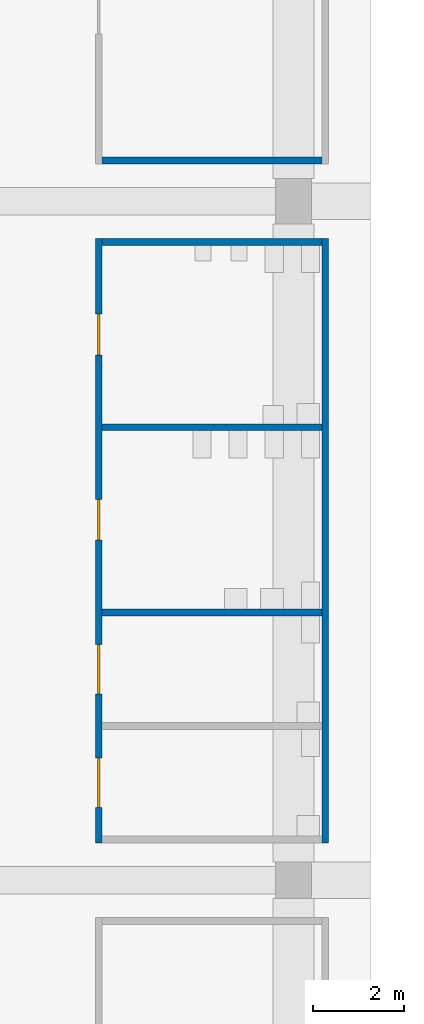
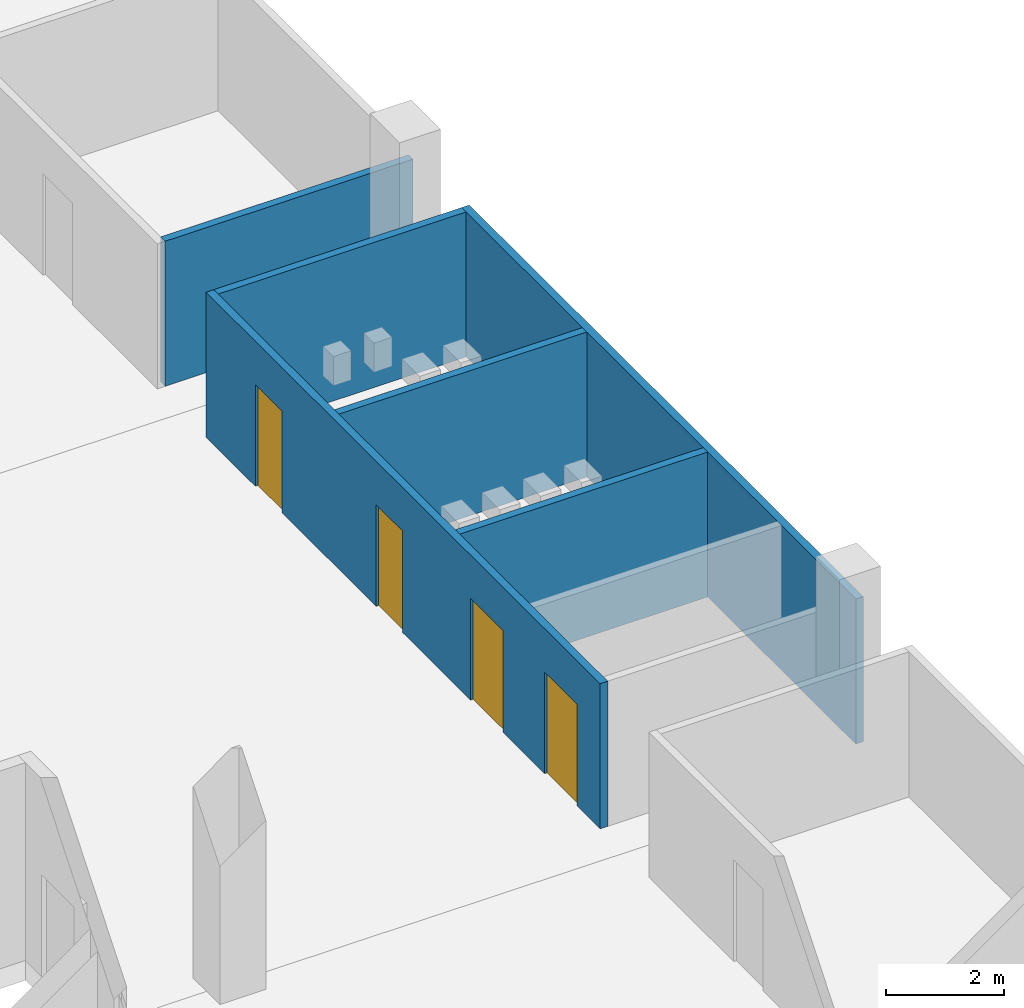
# One storey, part 80 of 199: 6 walls, 4 doors, 4 openings.
"""IFC4 building model written with IfcOpenShell, lengths in metres."""

from ifc_helpers import new_model, si_unit, direction, frame, frame_2d, origin, place, context, subcontext, project, spatial, rectangle, extrude, material, layer, layer_set, type_object, element, fill, save


model = new_model("IFC4")

# Units and contexts
model_context = context("Model", 3, precision=1e-05, world=origin(), true_north=direction((0.0, 1.0)))
body_context = subcontext(model_context, "Body", "Model", "MODEL_VIEW")
ifc_project = project(units=[si_unit("LENGTHUNIT", "METRE"), si_unit("AREAUNIT", "SQUARE_METRE"), si_unit("VOLUMEUNIT", "CUBIC_METRE"), si_unit("PLANEANGLEUNIT", "RADIAN"), si_unit("MASSUNIT", "GRAM", prefix="KILO")], contexts=[model_context])

# Site, building, storey
site_placement = place(None, origin())
site = spatial("IfcSite", under=ifc_project, at=site_placement, CompositionType="ELEMENT")
building_placement = place(site_placement, origin())
building = spatial("IfcBuilding", under=site, at=building_placement, Name="Ogive Plaza Stadium", CompositionType="ELEMENT")
storey_placement = place(building_placement, frame((0.0, 0.0, 4.5)))
storey = spatial("IfcBuildingStorey", under=building, at=storey_placement, Name="L01", CompositionType="ELEMENT", Elevation=4.5)

# Walls
ifc_material_1 = material(Name="Masonry blockwork", Category="masonry")
ifc_layer_1 = layer(ifc_material_1, 0.14990234375)
ifc_layer_set_1 = layer_set([ifc_layer_1], Name="Blockwork wall 150")
wall_type_1 = type_object("IfcWallType", Name="Blockwork wall 150", PredefinedType="SOLIDWALL", material=ifc_layer_set_1)
wall_1_placement = place(storey_placement, frame((-61.27490234375, 23.39990234375, 0.0), z_axis=(0.0, 0.0, 1.0), x_axis=(-1.0, 0.0, 0.0)))
element("IfcWall", 1, at=wall_1_placement, inside=storey, type_object=wall_type_1, Name="Wall L01 B26", PredefinedType="SOLIDWALL", context=body_context, shape_type="SweptSolid", body=[
    extrude(rectangle(XDim=4.85009765625, YDim=0.14990234375, at=frame_2d((2.425048828125, 0.0))), origin(), (0.0, 0.0, 1.0), 3.0),
])
ifc_material_2 = material(Name="Gypsum board partition", Category="gypsum")
ifc_layer_2 = layer(ifc_material_2, 0.14990234375)
ifc_layer_set_2 = layer_set([ifc_layer_2], Name="Partition 150")
wall_type_2 = type_object("IfcWallType", Name="Partition 150", PredefinedType="PARTITIONING", material=ifc_layer_set_2)
wall_2_placement = place(storey_placement, frame((-61.199951171875, 21.675048828125, 0.0), z_axis=(0.0, 0.0, 1.0), x_axis=(0.0, -1.0, 0.0)))
element("IfcWall", 2, at=wall_2_placement, inside=storey, type_object=wall_type_2, Name="Wall L01 B25", PredefinedType="PARTITIONING", context=body_context, shape_type="SweptSolid", body=[
    extrude(rectangle(XDim=13.35009765625, YDim=0.14990234375, at=frame_2d((6.675048828125, 0.0))), origin(), (0.0, 0.0, 1.0), 3.0),
])

# Wall, openings, doors
wall_3_placement = place(storey_placement, frame((-66.199951171875, 21.675048828125, 0.0), z_axis=(0.0, 0.0, 1.0), x_axis=(0.0, -1.0, 0.0)))
wall_3 = element("IfcWall", 3, at=wall_3_placement, inside=storey, type_object=wall_type_2, Name="Wall L01 B25", PredefinedType="PARTITIONING", context=body_context, shape_type="SweptSolid", body=[
    extrude(rectangle(XDim=13.35009765625, YDim=0.14990234375, at=frame_2d((6.675048828125, 0.0))), origin(), (0.0, 0.0, 1.0), 3.0),
])
opening_1_placement = place(wall_3_placement, frame((1.6708984375, 0.0, 0.0)))
opening_1 = element("IfcOpeningElement", 4, at=opening_1_placement, cuts=wall_3, Name="Opening D0549", PredefinedType="OPENING", context=body_context, shape_type="SweptSolid", body=[
    extrude(rectangle(XDim=0.89990234375, YDim=2.10009765625, at=frame_2d((0.449951171875, 1.050048828125))), frame((0.0, 0.074951171875, 0.0), z_axis=(0.0, -1.0, 0.0), x_axis=(1.0, 0.0, 0.0)), (0.0, 0.0, 1.0), 0.14990234375),
])
opening_2_placement = place(wall_3_placement, frame((5.762939453125, 0.0, 0.0)))
opening_2 = element("IfcOpeningElement", 5, at=opening_2_placement, cuts=wall_3, Name="Opening D0550", PredefinedType="OPENING", context=body_context, shape_type="SweptSolid", body=[
    extrude(rectangle(XDim=0.89990234375, YDim=2.10009765625, at=frame_2d((0.449951171875, 1.050048828125))), frame((0.0, 0.074951171875, 0.0), z_axis=(0.0, -1.0, 0.0), x_axis=(1.0, 0.0, 0.0)), (0.0, 0.0, 1.0), 0.14990234375),
])
opening_3_placement = place(wall_3_placement, frame((8.962890625, 0.0, 0.0)))
opening_3 = element("IfcOpeningElement", 6, at=opening_3_placement, cuts=wall_3, Name="Opening D0551", PredefinedType="OPENING", context=body_context, shape_type="SweptSolid", body=[
    extrude(rectangle(XDim=1.10009765625, YDim=2.10009765625, at=frame_2d((0.550048828125, 1.050048828125))), frame((0.0, 0.074951171875, 0.0), z_axis=(0.0, -1.0, 0.0), x_axis=(1.0, 0.0, 0.0)), (0.0, 0.0, 1.0), 0.14990234375),
])
opening_4_placement = place(wall_3_placement, frame((11.470947265625, 0.0, 0.0)))
opening_4 = element("IfcOpeningElement", 7, at=opening_4_placement, cuts=wall_3, Name="Opening D0552", PredefinedType="OPENING", context=body_context, shape_type="SweptSolid", body=[
    extrude(rectangle(XDim=1.10009765625, YDim=2.10009765625, at=frame_2d((0.550048828125, 1.050048828125))), frame((0.0, 0.074951171875, 0.0), z_axis=(0.0, -1.0, 0.0), x_axis=(1.0, 0.0, 0.0)), (0.0, 0.0, 1.0), 0.14990234375),
])
ifc_material_3 = material(Name="Steel ASTM A572 Grade 50", Category="steel")
door_type_1 = type_object("IfcDoorType", Name="Accessible door 1100 x 2100", OperationType="SINGLE_SWING_LEFT", PredefinedType="DOOR", material=ifc_material_3)
door_1_placement = place(opening_3_placement, origin())
door_1 = element("IfcDoor", 8, at=door_1_placement, inside=storey, type_object=door_type_1, Name="Accessible WC B25 door", OperationType="SINGLE_SWING_LEFT", OverallHeight=2.10009765625, OverallWidth=1.10009765625, PredefinedType="DOOR", context=body_context, shape_type="SweptSolid", body=[
    extrude(rectangle(XDim=1.10009765625, YDim=2.10009765625, at=frame_2d((0.550048828125, 1.050048828125))), frame((0.0, 0.02490234375, 0.0), z_axis=(0.0, -1.0, 0.0), x_axis=(1.0, 0.0, 0.0)), (0.0, 0.0, 1.0), 0.050048828125),
])
fill(opening_3, door_1)
door_2_placement = place(opening_4_placement, origin())
door_2 = element("IfcDoor", 9, at=door_2_placement, inside=storey, type_object=door_type_1, Name="Family WC B25 door", OperationType="SINGLE_SWING_RIGHT", OverallHeight=2.10009765625, OverallWidth=1.10009765625, PredefinedType="DOOR", context=body_context, shape_type="SweptSolid", body=[
    extrude(rectangle(XDim=1.10009765625, YDim=2.10009765625, at=frame_2d((0.550048828125, 1.050048828125))), frame((0.0, 0.02490234375, 0.0), z_axis=(0.0, -1.0, 0.0), x_axis=(1.0, 0.0, 0.0)), (0.0, 0.0, 1.0), 0.050048828125),
])
fill(opening_4, door_2)
ifc_material_4 = material(Name="Steel ASTM A572 Grade 50", Category="steel")
door_type_2 = type_object("IfcDoorType", Name="Door 900 x 2100", OperationType="SINGLE_SWING_LEFT", PredefinedType="DOOR", material=ifc_material_4)
door_3_placement = place(opening_1_placement, origin())
door_3 = element("IfcDoor", 10, at=door_3_placement, inside=storey, type_object=door_type_2, Name="Men's Toilet B25 door", OperationType="SINGLE_SWING_LEFT", OverallHeight=2.10009765625, OverallWidth=0.89990234375, PredefinedType="DOOR", context=body_context, shape_type="SweptSolid", body=[
    extrude(rectangle(XDim=0.89990234375, YDim=2.10009765625, at=frame_2d((0.449951171875, 1.050048828125))), frame((0.0, 0.02490234375, 0.0), z_axis=(0.0, -1.0, 0.0), x_axis=(1.0, 0.0, 0.0)), (0.0, 0.0, 1.0), 0.050048828125),
])
fill(opening_1, door_3)
door_4_placement = place(opening_2_placement, origin())
door_4 = element("IfcDoor", 11, at=door_4_placement, inside=storey, type_object=door_type_2, Name="Women's Toilet B25 door", OperationType="SINGLE_SWING_RIGHT", OverallHeight=2.10009765625, OverallWidth=0.89990234375, PredefinedType="DOOR", context=body_context, shape_type="SweptSolid", body=[
    extrude(rectangle(XDim=0.89990234375, YDim=2.10009765625, at=frame_2d((0.449951171875, 1.050048828125))), frame((0.0, 0.02490234375, 0.0), z_axis=(0.0, -1.0, 0.0), x_axis=(1.0, 0.0, 0.0)), (0.0, 0.0, 1.0), 0.050048828125),
])
fill(opening_2, door_4)

# Walls
for number, where, z_axis, x_axis, name in (
    (12, (-61.27490234375, 21.60009765625, 0.0), (0.0, 0.0, 1.0), (-1.0, 0.0, 0.0), "Wall L01 B25"),
    (13, (-61.27490234375, 17.508056640625, 0.0), (0.0, 0.0, 1.0), (-1.0, 0.0, 0.0), "Wall L01 B25"),
    (14, (-61.27490234375, 13.416015625, 0.0), (0.0, 0.0, 1.0), (-1.0, 0.0, 0.0), "Wall L01 B25"),
):
    element("IfcWall", number, at=place(storey_placement, frame(where, z_axis=z_axis, x_axis=x_axis)), inside=storey, type_object=wall_type_2, Name=name, PredefinedType="PARTITIONING", context=body_context, shape_type="SweptSolid", body=[
        extrude(rectangle(XDim=4.85009765625, YDim=0.14990234375, at=frame_2d((2.425048828125, 0.0))), origin(), (0.0, 0.0, 1.0), 3.0),
    ])

save(model, "model.ifc")
